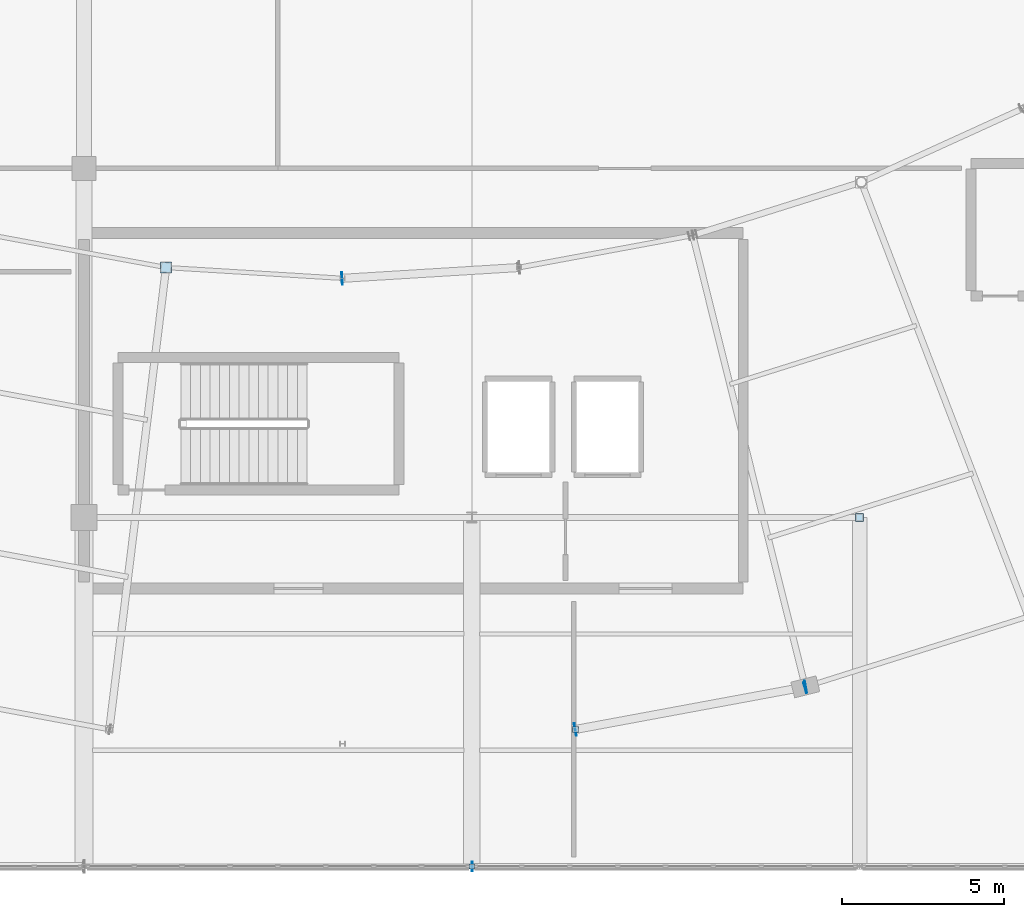
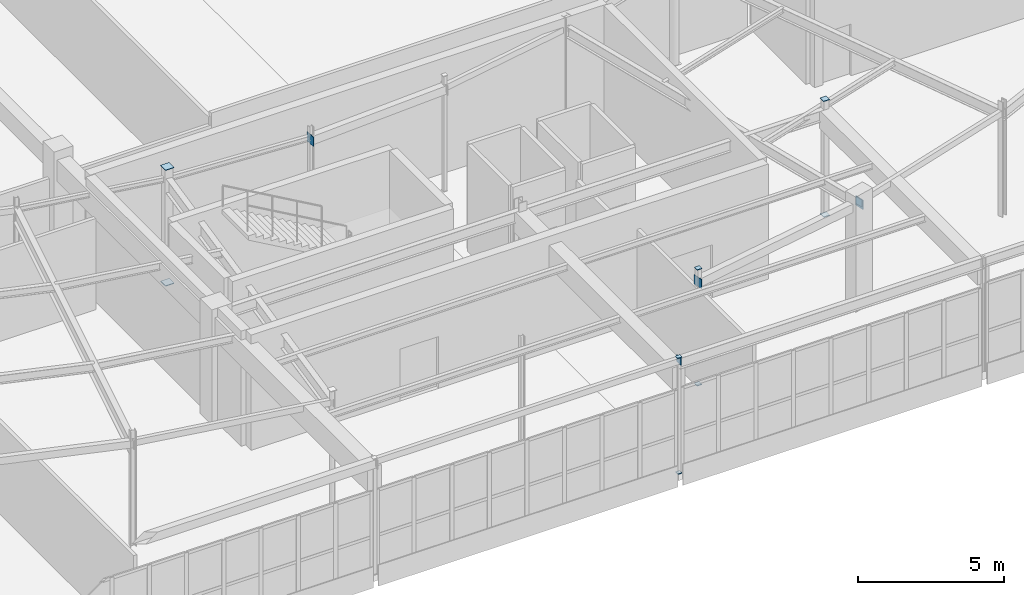
# One storey, part 132 of 186: 13 plates.
"""IFC4 building model written with IfcOpenShell, lengths in metres."""

import ifcopenshell
import ifcopenshell.guid

model = None  # the IFC model being written
_history = None  # IfcOwnerHistory: only IFC2X3 demands one
_inside = {}  # id of a spatial element -> (the spatial element, [elements in it])
_under = {}  # id of a project, library or spatial element -> (it, [spatial elements below it])
_declared = {}  # id of a project -> (the project, [libraries it declares])
_typed = {}  # id of a type object -> (the type object, [elements of that type])
_made_of = {}  # id of a material, layer set ... -> (it, [elements and type objects made of it])


def new_model(schema):
    """Start an empty IFC model of exactly this schema.

    Asked for "IFC4X3", IfcOpenShell would pick the latest addendum, in which some entities
    have other attributes; the version numbers below select the first issue.
    IFC2X3 requires an IfcOwnerHistory on every rooted entity: one is made here for all.
    """
    global model, _history
    if schema == "IFC4X3":
        model = ifcopenshell.file(schema_version=(4, 3, 0, 0))
    else:
        model = ifcopenshell.file(schema=schema)
    _inside.clear()
    _under.clear()
    _declared.clear()
    _typed.clear()
    _made_of.clear()
    _history = None
    if model.schema == "IFC2X3":
        org = make("IfcOrganization", Name="unknown")
        user = make(
            "IfcPersonAndOrganization",
            ThePerson=make("IfcPerson", FamilyName="unknown"),
            TheOrganization=org,
        )
        app = make(
            "IfcApplication",
            ApplicationDeveloper=org,
            Version="unknown",
            ApplicationFullName="unknown",
            ApplicationIdentifier="unknown",
        )
        _history = make(
            "IfcOwnerHistory",
            OwningUser=user,
            OwningApplication=app,
            ChangeAction="ADDED",
            CreationDate=0,
        )
    return model


def make(cls, **values):
    """One entity of the class cls with the attributes given. An attribute that is None is left unset."""
    return model.create_entity(
        cls, **{name: value for name, value in values.items() if value is not None}
    )


def rooted(cls, **values):
    """An entity with a GlobalId (a new one), such as an element, a storey or a relation."""
    return make(cls, GlobalId=ifcopenshell.guid.new(), OwnerHistory=_history, **values)


def si_unit(unit_type, name, prefix=None):
    """IfcSIUnit, for example si_unit("LENGTHUNIT", "METRE", prefix="MILLI")."""
    return make("IfcSIUnit", UnitType=unit_type, Prefix=prefix, Name=name)


def assignment(units):
    """IfcUnitAssignment: the units of a project."""
    return None if units is None else make("IfcUnitAssignment", Units=units)


def point(xyz):
    """IfcCartesianPoint."""
    return None if xyz is None else make("IfcCartesianPoint", Coordinates=xyz)


def direction(xyz):
    """IfcDirection."""
    return None if xyz is None else make("IfcDirection", DirectionRatios=xyz)


def frame(location, z_axis=None, x_axis=None):
    """IfcAxis2Placement3D, a coordinate frame: its origin and axes. An axis left out is left unset."""
    return make(
        "IfcAxis2Placement3D",
        Location=point(location),
        Axis=direction(z_axis),
        RefDirection=direction(x_axis),
    )


def frame_2d(location, x_axis=None):
    """IfcAxis2Placement2D, a coordinate frame in the plane: its origin and x axis."""
    return make(
        "IfcAxis2Placement2D", Location=point(location), RefDirection=direction(x_axis)
    )


def origin():
    """The frame at (0, 0, 0) with its axes left unset."""
    return frame((0.0, 0.0, 0.0))


def origin_2d():
    """The frame at (0, 0) in the plane with its x axis left unset."""
    return frame_2d((0.0, 0.0))


def place(relative_to, where):
    """IfcLocalPlacement: puts the frame where relative to a parent placement (None: the world)."""
    return make(
        "IfcLocalPlacement", PlacementRelTo=relative_to, RelativePlacement=where
    )


def context(
    kind, dimensions, precision=None, world=None, true_north=None, identifier=None
):
    """IfcGeometricRepresentationContext, for example the 3D "Model" context."""
    return make(
        "IfcGeometricRepresentationContext",
        ContextIdentifier=identifier,
        ContextType=kind,
        CoordinateSpaceDimension=dimensions,
        Precision=precision,
        WorldCoordinateSystem=world,
        TrueNorth=true_north,
    )


def subcontext(parent, identifier, kind, view, scale=None):
    """IfcGeometricRepresentationSubContext, for example "Body" below "Model"."""
    return make(
        "IfcGeometricRepresentationSubContext",
        ContextIdentifier=identifier,
        ContextType=kind,
        ParentContext=parent,
        TargetScale=scale,
        TargetView=view,
    )


def project(units=None, contexts=None):
    """IfcProject with its units and contexts."""
    return rooted(
        "IfcProject",
        Name="project",
        RepresentationContexts=contexts,
        UnitsInContext=assignment(units),
    )


def spatial(cls, under=None, at=None, **own):
    """A site, building, storey or space (cls), placed at a placement, below another one or the project."""
    s = rooted(cls, ObjectPlacement=at, **own)
    if under is not None:
        _under.setdefault(under.id(), (under, []))[1].append(s)
    return s


def profile(cls, at=None, kind="AREA", **sizes):
    """A parametric profile (cls). Its sizes go by their IFC names, for example OverallWidth=200.0."""
    return make(cls, ProfileType=kind, Position=at, **sizes)


def rectangle(**sizes):
    """IfcRectangleProfileDef."""
    return profile("IfcRectangleProfileDef", **sizes)


def extrude(swept, where, along, depth):
    """IfcExtrudedAreaSolid: the profile swept, set in the frame where, extruded along a direction by depth."""
    return make(
        "IfcExtrudedAreaSolid",
        SweptArea=swept,
        Position=where,
        ExtrudedDirection=direction(along),
        Depth=depth,
    )


def shape(context_of_items, identifier, shape_type, items):
    """IfcShapeRepresentation: the items that make up one representation, for example the "Body"."""
    return make(
        "IfcShapeRepresentation",
        ContextOfItems=context_of_items,
        RepresentationIdentifier=identifier,
        RepresentationType=shape_type,
        Items=items,
    )


def material(Name=None, Category=None):
    """IfcMaterial."""
    return make("IfcMaterial", Name=Name, Category=Category)


def layer(
    of_material, thickness, ventilated=None, Name=None, Category=None, Priority=None
):
    """IfcMaterialLayer: one layer of a wall or slab, of a material (None: an air gap)."""
    return make(
        "IfcMaterialLayer",
        Material=of_material,
        LayerThickness=thickness,
        IsVentilated=ventilated,
        Name=Name,
        Category=Category,
        Priority=Priority,
    )


def layer_set(layers, Name=None):
    """IfcMaterialLayerSet."""
    return make("IfcMaterialLayerSet", MaterialLayers=layers, LayerSetName=Name)


def made_of(thing, what):
    """Note that an element or type object is made of a material, layer set ...; save() writes the relation."""
    if what is not None:
        _made_of.setdefault(what.id(), (what, []))[1].append(thing)
    return thing


def type_object(cls, material=None, **own):
    """A type object (cls), such as IfcWallType, which elements share."""
    return made_of(rooted(cls, **own), material)


def element(
    cls,
    number,
    at=None,
    inside=None,
    cuts=None,
    type_object=None,
    material=None,
    context=None,
    identifier="Body",
    shape_type=None,
    held_by="IfcProductDefinitionShape",
    body=None,
    shapes=None,
    **own,
):
    """One element of the class cls, such as IfcWall. Its Tag is "e" and its number.

    at: its placement. inside: the storey or other place that contains it. cuts: it is an
    opening in that element (IfcRelVoidsElement). A single representation is given by context,
    identifier, shape_type and body (its items); several are given by shapes. held_by: the class
    of the entity that holds the representations. save() writes the other relations.
    """
    e = rooted(cls, Tag="e%d" % number, ObjectPlacement=at, **own)
    if body is not None:
        shapes = [shape(context, identifier, shape_type, body)]
    if shapes is not None:
        e.Representation = make(held_by, Representations=shapes)
    if inside is not None:
        _inside.setdefault(inside.id(), (inside, []))[1].append(e)
    if cuts is not None:
        rooted(
            "IfcRelVoidsElement", RelatingBuildingElement=cuts, RelatedOpeningElement=e
        )
    if type_object is not None:
        _typed.setdefault(type_object.id(), (type_object, []))[1].append(e)
    return made_of(e, material)


def aggregate(whole, parts):
    """IfcRelAggregates: a whole, such as a stair, and the parts it consists of."""
    return rooted("IfcRelAggregates", RelatingObject=whole, RelatedObjects=parts)


def save(model, path):
    """Write the relations noted so far, then the file.

    IfcRelAggregates (storeys below a building ...), IfcRelContainedInSpatialStructure (elements
    in a storey), IfcRelDefinesByType, IfcRelAssociatesMaterial and IfcRelDeclares: one each for
    every whole, place, type object, material and project.
    """
    for whole, parts in _under.values():
        aggregate(whole, parts)
    for where, things in _inside.values():
        rooted(
            "IfcRelContainedInSpatialStructure",
            RelatedElements=things,
            RelatingStructure=where,
        )
    for kind, things in _typed.values():
        rooted("IfcRelDefinesByType", RelatedObjects=things, RelatingType=kind)
    for what, things in _made_of.values():
        rooted("IfcRelAssociatesMaterial", RelatedObjects=things, RelatingMaterial=what)
    for by, libraries in _declared.values():
        rooted("IfcRelDeclares", RelatingContext=by, RelatedDefinitions=libraries)
    model.write(path)


model = new_model("IFC4")

# Units and contexts
model_context = context("Model", 3, precision=1e-05, world=origin(), true_north=direction((0.0, 1.0)))
body_context = subcontext(model_context, "Body", "Model", "MODEL_VIEW")
ifc_project = project(units=[si_unit("LENGTHUNIT", "METRE"), si_unit("AREAUNIT", "SQUARE_METRE"), si_unit("VOLUMEUNIT", "CUBIC_METRE"), si_unit("PLANEANGLEUNIT", "RADIAN"), si_unit("MASSUNIT", "GRAM", prefix="KILO")], contexts=[model_context])

# Site, building, storey
site_placement = place(None, origin())
site = spatial("IfcSite", under=ifc_project, at=site_placement, CompositionType="ELEMENT")
building_placement = place(site_placement, origin())
building = spatial("IfcBuilding", under=site, at=building_placement, Name="Tarnwether General Hospital", CompositionType="ELEMENT")
storey_placement = place(building_placement, frame((0.0, 0.0, 9.60009765625)))
storey = spatial("IfcBuildingStorey", under=building, at=storey_placement, Name="L02", CompositionType="ELEMENT", Elevation=9.60009765625)

# Plates
ifc_material = material(Name="Steel Grade 350 (350 MPa)", Category="steel")
ifc_layer = layer(ifc_material, 0.02490234375)
ifc_layer_set = layer_set([ifc_layer], Name="Steel Grade 350 (350 MPa)")
plate_type = type_object("IfcPlateType", Name="PT-GUS2", PredefinedType="USERDEFINED", material=ifc_layer_set)
for number, where, z_axis, x_axis, name in (
    (1, (96.0, 0.0, -0.025146484375), (0.0, 0.0, 1.0), (1.0, 0.0, 0.0), "Hollow Section Welded End Cap Plate 0167"),
    (2, (96.0, 0.0, 4.800048828125), (0.0, 0.0, 1.0), (1.0, 0.0, 0.0), "Hollow Section Welded End Cap Plate 0168"),
):
    element("IfcPlate", number, at=place(storey_placement, frame(where, z_axis=z_axis, x_axis=x_axis)), inside=storey, type_object=plate_type, Name=name, ObjectType="GUSSET", PredefinedType="USERDEFINED", context=body_context, shape_type="SweptSolid", body=[
        extrude(rectangle(XDim=0.1650390625, YDim=0.1650390625, at=origin_2d()), origin(), (0.0, 0.0, 1.0), 0.02490234375),
    ])
for number, where, z_axis, x_axis, name in (
    (3, (108.0, 10.800048828125, -0.025146484375), (0.0, 0.0, 1.0), (1.0, 0.0, 0.0), "Hollow Section Welded End Cap Plate 0195"),
    (4, (108.0, 10.800048828125, 4.800048828125), (0.0, 0.0, 1.0), (1.0, 0.0, 0.0), "Hollow Section Welded End Cap Plate 0196"),
):
    element("IfcPlate", number, at=place(storey_placement, frame(where, z_axis=z_axis, x_axis=x_axis)), inside=storey, type_object=plate_type, Name=name, ObjectType="GUSSET", PredefinedType="USERDEFINED", context=body_context, shape_type="SweptSolid", body=[
        extrude(rectangle(XDim=0.239990234375, YDim=0.239990234375, at=origin_2d()), origin(), (0.0, 0.0, 1.0), 0.02490234375),
    ])
for number, where, z_axis, x_axis, name in (
    (5, (86.5400390625, 18.533935546875, -0.025146484375), (0.0, 0.0, 1.0), (1.0, 0.0, 0.0), "Hollow Section Welded End Cap Plate 0671"),
    (6, (86.5400390625, 18.533935546875, 4.800048828125), (0.0, 0.0, 1.0), (1.0, 0.0, 0.0), "Hollow Section Welded End Cap Plate 0672"),
):
    element("IfcPlate", number, at=place(storey_placement, frame(where, z_axis=z_axis, x_axis=x_axis)), inside=storey, type_object=plate_type, Name=name, ObjectType="GUSSET", PredefinedType="USERDEFINED", context=body_context, shape_type="SweptSolid", body=[
        extrude(rectangle(XDim=0.340087890625, YDim=0.340087890625, at=origin_2d()), origin(), (0.0, 0.0, 1.0), 0.02490234375),
    ])
for number, where, z_axis, x_axis, name in (
    (7, (99.215087890625, 4.240966796875, -0.025146484375), (0.0, 0.0, 1.0), (1.0, 0.0, 0.0), "Hollow Section Welded End Cap Plate 0695"),
    (8, (99.215087890625, 4.240966796875, 4.800048828125), (0.0, 0.0, 1.0), (1.0, 0.0, 0.0), "Hollow Section Welded End Cap Plate 0696"),
):
    element("IfcPlate", number, at=place(storey_placement, frame(where, z_axis=z_axis, x_axis=x_axis)), inside=storey, type_object=plate_type, Name=name, ObjectType="GUSSET", PredefinedType="USERDEFINED", context=body_context, shape_type="SweptSolid", body=[
        extrude(rectangle(XDim=0.18994140625, YDim=0.18994140625, at=origin_2d()), origin(), (0.0, 0.0, 1.0), 0.02490234375),
    ])
plate_1_placement = place(storey_placement, frame((96.012451171875, 0.0, 4.52978515625), z_axis=(0.0, 0.0, 1.0), x_axis=(1.0, 0.0, 0.0)))
element("IfcPlate", 9, at=plate_1_placement, inside=storey, type_object=plate_type, Name="Hollow Section Welded End Cap Plate 0956", ObjectType="GUSSET", PredefinedType="USERDEFINED", context=body_context, shape_type="SweptSolid", body=[
    extrude(rectangle(XDim=0.02490234375, YDim=0.2900390625, at=origin_2d()), origin(), (0.0, 0.0, 1.0), 0.2900390625),
])
for number, where, z_axis, x_axis, name in (
    (10, (91.987548828125, 18.19921875, 4.06005859375), (0.0, 0.0, 1.0), (0.998133732772, 0.061065960264, 0.0), "Hollow Section Welded End Cap Plate 1097"),
    (11, (99.20263671875, 4.23876953125, 4.06005859375), (0.0, 0.0, 1.0), (0.983261268185, 0.18220120331, 0.0), "Hollow Section Welded End Cap Plate 1099"),
    (12, (106.334228515625, 5.560302734375, 4.06005859375), (0.0, 0.0, 1.0), (0.983261268185, 0.18220120331, 0.0), "Hollow Section Welded End Cap Plate 1100"),
):
    element("IfcPlate", number, at=place(storey_placement, frame(where, z_axis=z_axis, x_axis=x_axis)), inside=storey, type_object=plate_type, Name=name, ObjectType="GUSSET", PredefinedType="USERDEFINED", context=body_context, shape_type="SweptSolid", body=[
        extrude(rectangle(XDim=0.02490234375, YDim=0.389892578125, at=origin_2d()), origin(), (0.0, 0.0, 1.0), 0.389892578125),
    ])
plate_2_placement = place(storey_placement, frame((106.31005859375, 5.55419921875, 4.159912109375), z_axis=(0.0, 0.0, 1.0), x_axis=(0.953690705585, 0.300789025864, 0.0)))
element("IfcPlate", 13, at=plate_2_placement, inside=storey, type_object=plate_type, Name="Hollow Section Welded End Cap Plate 1103", ObjectType="GUSSET", PredefinedType="USERDEFINED", context=body_context, shape_type="SweptSolid", body=[
    extrude(rectangle(XDim=0.02490234375, YDim=0.2900390625, at=origin_2d()), origin(), (0.0, 0.0, 1.0), 0.2900390625),
])

save(model, "model.ifc")
